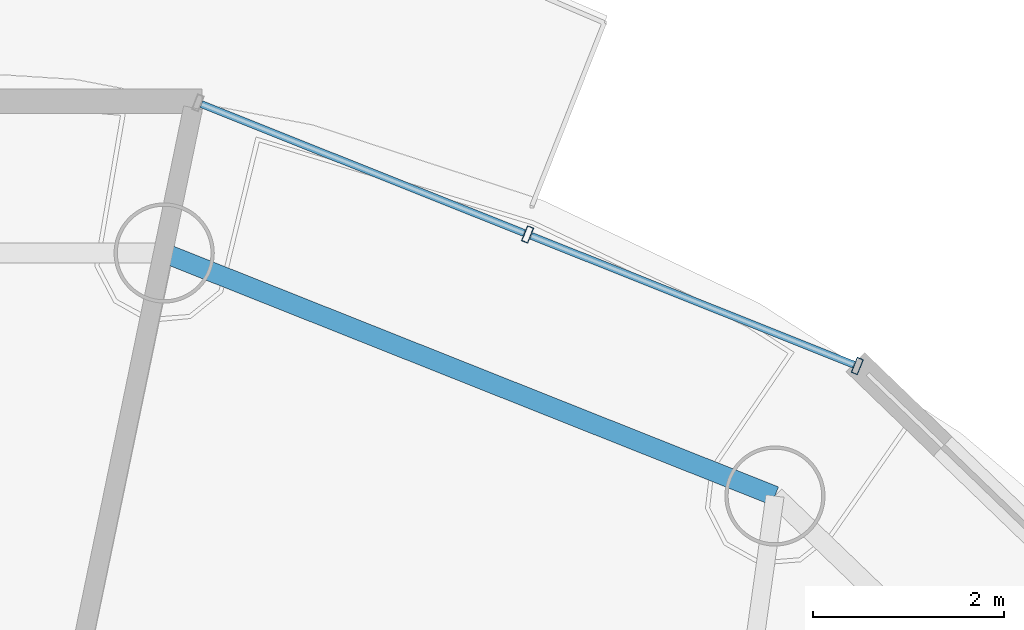
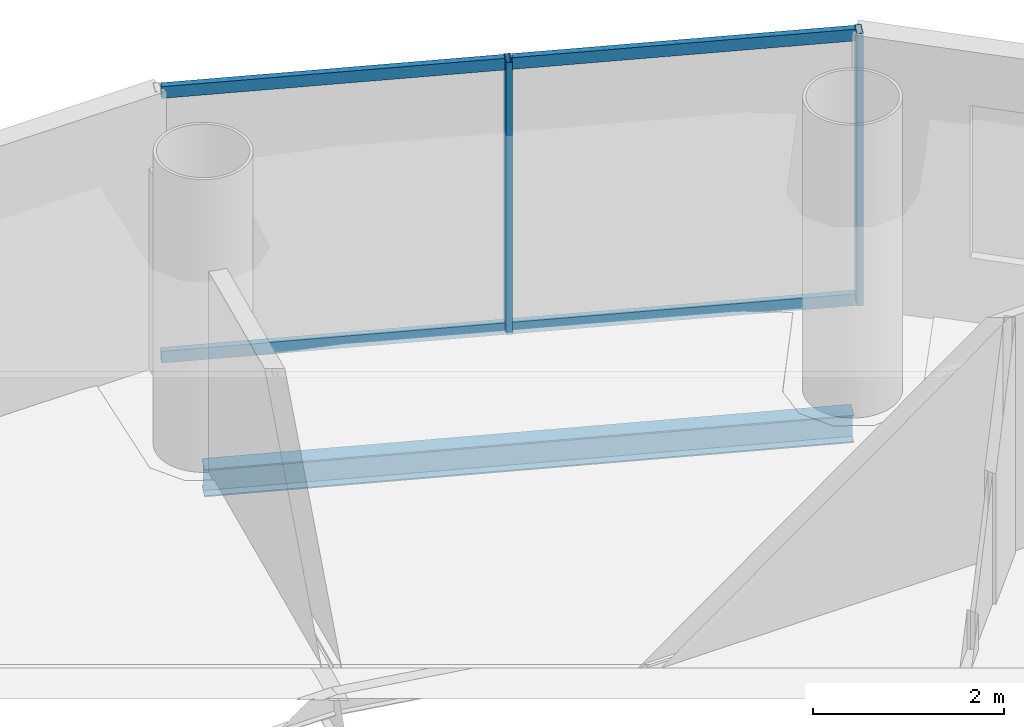
# One storey, part 12 of 21: 6 members, 1 beam, 1 element without a shape of its own.
"""IFC4 building model written with IfcOpenShell, lengths in metres."""

from ifc_helpers import new_model, si_unit, direction, frame, origin, origin_2d, place, context, subcontext, project, spatial, hollow_rectangle, i_section, extrude, source, transform, mapped, material, material_profile, profile_set, type_object, element, aggregate, save


model = new_model("IFC4")

# Units and contexts
model_context = context("Model", 3, precision=1e-05, world=origin(), true_north=direction((-0.2419218956, 0.970295726276)))
body_context = subcontext(model_context, "Body", "Model", "MODEL_VIEW")
ifc_project = project(units=[si_unit("LENGTHUNIT", "METRE"), si_unit("AREAUNIT", "SQUARE_METRE"), si_unit("VOLUMEUNIT", "CUBIC_METRE"), si_unit("PLANEANGLEUNIT", "RADIAN"), si_unit("MASSUNIT", "GRAM", prefix="KILO")], contexts=[model_context])

# Site, building, storey
site_placement = place(None, origin())
site = spatial("IfcSite", under=ifc_project, at=site_placement, CompositionType="ELEMENT")
building_placement = place(site_placement, origin())
building = spatial("IfcBuilding", under=site, at=building_placement, Name="Cobrevalo Terracotta Tower", CompositionType="ELEMENT")
storey_placement = place(building_placement, frame((0.0, 0.0, 285.699951171875)))
storey = spatial("IfcBuildingStorey", under=building, at=storey_placement, Name="L75", CompositionType="ELEMENT", Elevation=285.699951171875)

# Beam
ifc_material_1 = material(Name="Steel S355", Category="steel")
ifc_material_profile_1 = material_profile(ifc_material_1, i_section(OverallWidth=0.205078125, OverallDepth=0.35400390625, WebThickness=0.009521484375, FlangeThickness=0.016845703125, at=origin_2d()), Name="W 360x79")
ifc_profile_set_1 = profile_set([ifc_material_profile_1], Name="Steel S355")
beam_type = type_object("IfcBeamType", Name="Structural Spandrel W 360x79 (Steel S355)", PredefinedType="SPANDREL", material=ifc_profile_set_1)
beam_placement = place(storey_placement, frame((47.861328125, 40.9765625, -0.43701171875), z_axis=(-0.929149986048, 0.369702993533, 0.0), x_axis=(-0.369702993533, -0.929149986048, 0.0)))
element("IfcBeam", 1, at=beam_placement, inside=storey, type_object=beam_type, Name="L75 perimeter ring spandrel 03", PredefinedType="SPANDREL", context=body_context, shape_type="SweptSolid", body=[
    extrude(i_section(OverallWidth=0.205078125, OverallDepth=0.35400390625, WebThickness=0.009521484375, FlangeThickness=0.016845703125, at=origin_2d()), origin(), (0.0, 0.0, 1.0), 6.88623046875),
])

# Curtain wall, members
ifc_material_2 = material(Name="Anodized aluminium", Category="aluminium")
curtain_wall_type = type_object("IfcCurtainWallType", Name="Upper-tower triple-glazed penthouse curtain wall CW-U3", PredefinedType="NOTDEFINED", material=ifc_material_2)
curtain_wall_placement = place(storey_placement, origin())
curtain_wall = element("IfcCurtainWall", 2, at=curtain_wall_placement, inside=storey, type_object=curtain_wall_type, Name="L75 curtain wall CW-L75-S03", PredefinedType="NOTDEFINED")
ifc_material_profile_2 = material_profile(ifc_material_2, hollow_rectangle(XDim=0.070068359375, YDim=0.169921875, WallThickness=0.00439453125, at=origin_2d()), Name="CWM 70x170")
ifc_profile_set_2 = profile_set([ifc_material_profile_2], Name="Anodized aluminium")
member_type_1 = type_object("IfcMemberType", Name="Upper tower unitised mullion 70x170", PredefinedType="MULLION", material=ifc_profile_set_2)
shared_shape_1 = source(origin(), body_context, "Body", "SweptSolid", [
    extrude(hollow_rectangle(XDim=0.070068359375, YDim=0.169921875, WallThickness=0.00439453125, at=origin_2d()), origin(), (0.0, 0.0, 1.0), 3.489990234375),
])
member_1_placement = place(storey_placement, frame((48.724365234375, 42.33837890625, 0.0), z_axis=(0.0, 0.0, 1.0), x_axis=(-0.928718980883, 0.370784377433, 0.0)))
member_1 = element("IfcMember", 3, at=member_1_placement, type_object=member_type_1, Name="CW-L75-S03 vertical mullion 01", PredefinedType="MULLION", context=body_context, shape_type="MappedRepresentation", body=[
    mapped(shared_shape_1, transform((0.0, 0.0, 0.0), scale=1.0)),
])
member_2_placement = place(storey_placement, frame((45.270263671875, 43.71728515625, 0.0), z_axis=(0.0, 0.0, 1.0), x_axis=(-0.928718980883, 0.370784377433, 0.0)))
member_2 = element("IfcMember", 4, at=member_2_placement, type_object=member_type_1, Name="CW-L75-S03 vertical mullion 02", PredefinedType="MULLION", context=body_context, shape_type="MappedRepresentation", body=[
    mapped(shared_shape_1, transform((0.0, 0.0, 0.0), scale=1.0)),
])
ifc_material_profile_3 = material_profile(ifc_material_2, hollow_rectangle(XDim=0.074951171875, YDim=0.14990234375, WallThickness=0.00439453125, at=origin_2d()), Name="CWT 75x150")
ifc_profile_set_3 = profile_set([ifc_material_profile_3], Name="Anodized aluminium")
member_type_2 = type_object("IfcMemberType", Name="Tower unitised aluminium transom 75x150", PredefinedType="USERDEFINED", material=ifc_profile_set_3)
shared_shape_2 = source(origin(), body_context, "Body", "SweptSolid", [
    extrude(hollow_rectangle(XDim=0.074951171875, YDim=0.14990234375, WallThickness=0.00439453125, at=origin_2d()), origin(), (0.0, 0.0, 1.0), 3.63916015625),
])
member_3_placement = place(storey_placement, frame((48.68701171875, 42.353271484375, 0.050048828125), z_axis=(-0.928712471544, 0.370800681227, 0.0), x_axis=(-0.370800681227, -0.928712471544, 0.0)))
member_3 = element("IfcMember", 5, at=member_3_placement, type_object=member_type_2, Name="CW-L75-S03 transom B01-T1", ObjectType="TRANSOM", PredefinedType="USERDEFINED", context=body_context, shape_type="MappedRepresentation", body=[
    mapped(shared_shape_2, transform((0.0, 0.0, 0.0), scale=1.0)),
])
member_4_placement = place(storey_placement, frame((48.68701171875, 42.353271484375, 3.43994140625), z_axis=(-0.928712471544, 0.370800681227, 0.0), x_axis=(-0.370800681227, -0.928712471544, 0.0)))
member_4 = element("IfcMember", 6, at=member_4_placement, type_object=member_type_2, Name="CW-L75-S03 transom B01-T2", ObjectType="TRANSOM", PredefinedType="USERDEFINED", context=body_context, shape_type="MappedRepresentation", body=[
    mapped(shared_shape_2, transform((0.0, 0.0, 0.0), scale=1.0)),
])
member_5_placement = place(storey_placement, frame((45.23291015625, 43.732177734375, 0.050048828125), z_axis=(-0.928712471544, 0.370800681227, 0.0), x_axis=(-0.370800681227, -0.928712471544, 0.0)))
member_5 = element("IfcMember", 7, at=member_5_placement, type_object=member_type_2, Name="CW-L75-S03 transom B02-T1", ObjectType="TRANSOM", PredefinedType="USERDEFINED", context=body_context, shape_type="MappedRepresentation", body=[
    mapped(shared_shape_2, transform((0.0, 0.0, 0.0), scale=1.0)),
])
member_6_placement = place(storey_placement, frame((45.23291015625, 43.732177734375, 3.43994140625), z_axis=(-0.928712471544, 0.370800681227, 0.0), x_axis=(-0.370800681227, -0.928712471544, 0.0)))
member_6 = element("IfcMember", 8, at=member_6_placement, type_object=member_type_2, Name="CW-L75-S03 transom B02-T2", ObjectType="TRANSOM", PredefinedType="USERDEFINED", context=body_context, shape_type="MappedRepresentation", body=[
    mapped(shared_shape_2, transform((0.0, 0.0, 0.0), scale=1.0)),
])
aggregate(curtain_wall, [member_1, member_2, member_3, member_4, member_5, member_6])

save(model, "model.ifc")
